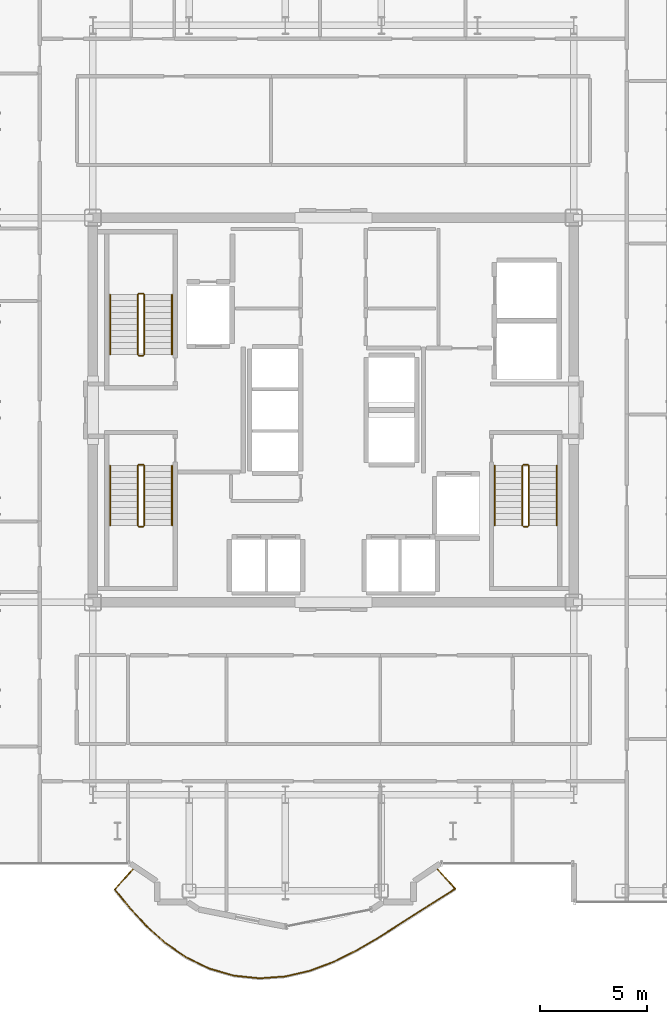
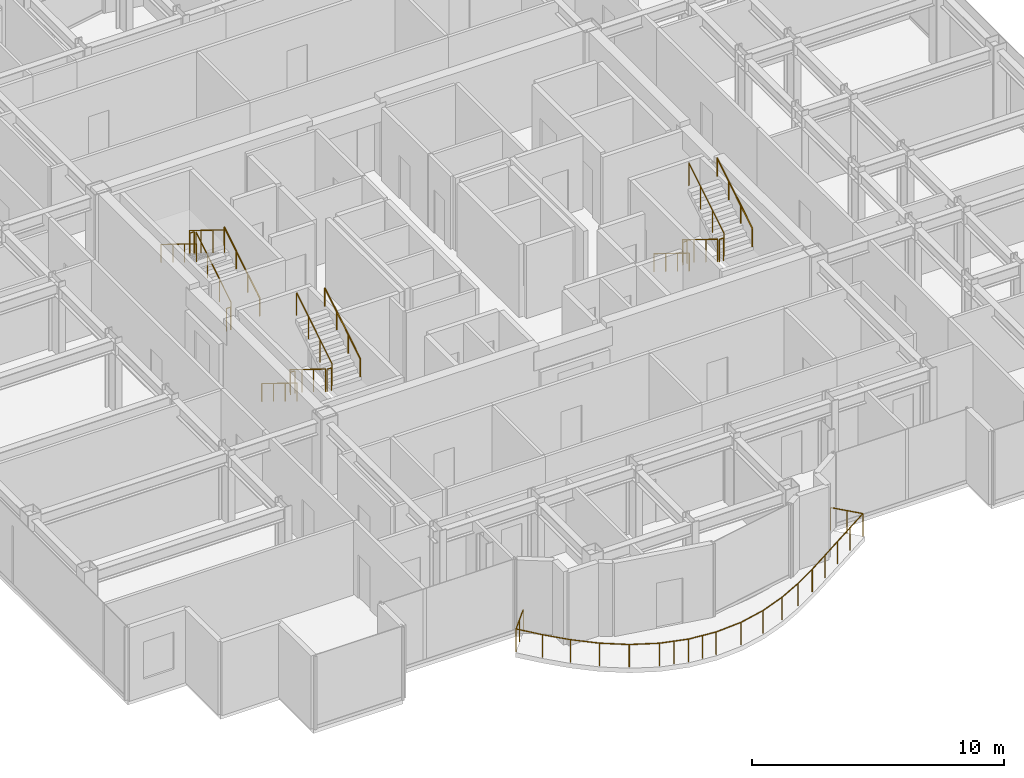
# One storey, part 20 of 21: 19 railings.
"""IFC4 building model written with IfcOpenShell, lengths in metres."""

from ifc_helpers import new_model, si_unit, direction, frame, origin, origin_2d, place, context, subcontext, project, spatial, circle, extrude, material, type_object, element, save


model = new_model("IFC4")

# Units and contexts
model_context = context("Model", 3, precision=1e-05, world=origin(), true_north=direction((0.0, 1.0)))
body_context = subcontext(model_context, "Body", "Model", "MODEL_VIEW")
ifc_project = project(units=[si_unit("LENGTHUNIT", "METRE"), si_unit("AREAUNIT", "SQUARE_METRE"), si_unit("VOLUMEUNIT", "CUBIC_METRE"), si_unit("PLANEANGLEUNIT", "RADIAN"), si_unit("MASSUNIT", "GRAM", prefix="KILO")], contexts=[model_context])

# Site, building, storey
site_placement = place(None, origin())
site = spatial("IfcSite", under=ifc_project, at=site_placement, CompositionType="ELEMENT")
building_placement = place(site_placement, origin())
building = spatial("IfcBuilding", under=site, at=building_placement, Name="Nefas-Gora Pilgrimage Tower", CompositionType="ELEMENT")
storey_placement = place(building_placement, frame((0.0, 0.0, 233.199951171875)))
storey = spatial("IfcBuildingStorey", under=building, at=storey_placement, Name="L58", CompositionType="ELEMENT", Elevation=233.199951171875)

# Railings
ifc_material_1 = material(Name="Laminated safety glass and stainless steel", Category="steel")
railing_type_1 = type_object("IfcRailingType", Name="RLG-BAL-1100", PredefinedType="BALUSTRADE", material=ifc_material_1)
railing_1_placement = place(storey_placement, frame((-9.302490234375, -21.402587890625, 0.0)))
element("IfcRailing", 1, at=railing_1_placement, inside=storey, type_object=railing_type_1, Name="L58 Wave Balcony Balustrade S2", PredefinedType="BALUSTRADE", context=body_context, shape_type="SweptSolid", body=[
    extrude(circle(Radius=0.02392578125, at=origin_2d()), frame((0.0, 0.0, 1.09619140625), z_axis=(-0.669217868333, -0.743066245165, 0.0), x_axis=(0.743066245165, -0.669217868333, 0.0)), (0.0, 0.0, 1.0), 1.38525390625),
    extrude(circle(Radius=0.02392578125, at=origin_2d()), frame((-0.927001953125, -1.029296875, 1.09619140625), z_axis=(0.631629482569, -0.775270402343, 0.0), x_axis=(0.775270402343, 0.631629482569, 0.0)), (0.0, 0.0, 1.0), 1.125244140625),
    extrude(circle(Radius=0.02392578125, at=origin_2d()), frame((-0.21630859375, -1.901611328125, 1.09619140625), z_axis=(0.677893838632, -0.735159808167, 0.0), x_axis=(0.735159808167, 0.677893838632, 0.0)), (0.0, 0.0, 1.0), 1.1552734375),
    extrude(circle(Radius=0.02392578125, at=origin_2d()), frame((0.56689453125, -2.7509765625, 1.09619140625), z_axis=(0.744856770075, -0.667224394094, 0.0), x_axis=(0.667224394094, 0.744856770075, 0.0)), (0.0, 0.0, 1.0), 1.17919921875),
    extrude(circle(Radius=0.02392578125, at=origin_2d()), frame((1.4453125, -3.537841796875, 1.09619140625), z_axis=(0.823486360046, -0.567336068673, 0.0), x_axis=(0.567336068673, 0.823486360046, 0.0)), (0.0, 0.0, 1.0), 1.193359375),
    extrude(circle(Radius=0.02392578125, at=origin_2d()), frame((2.427978515625, -4.21484375, 1.09619140625), z_axis=(0.900372884274, -0.435119143757, 0.0), x_axis=(0.435119143757, 0.900372884274, 0.0)), (0.0, 0.0, 1.0), 1.198974609375),
    extrude(circle(Radius=0.02392578125, at=origin_2d()), frame((3.507568359375, -4.736572265625, 1.09619140625), z_axis=(0.96128569357, -0.275553652377, 0.0), x_axis=(0.275553652377, 0.96128569357, 0.0)), (0.0, 0.0, 1.0), 1.200439453125),
    extrude(circle(Radius=0.02392578125, at=origin_2d()), frame((4.66162109375, -5.0673828125, 1.09619140625), z_axis=(0.994878893823, -0.101074163988, 0.0), x_axis=(0.101074163988, 0.994878893823, 0.0)), (0.0, 0.0, 1.0), 1.200439453125),
    extrude(circle(Radius=0.02392578125, at=origin_2d()), frame((5.85595703125, -5.188720703125, 1.09619140625), z_axis=(0.997416168119, 0.071840013741, 0.0), x_axis=(-0.071840013741, 0.997416168119, 0.0)), (0.0, 0.0, 1.0), 1.19970703125),
    extrude(circle(Radius=0.02392578125, at=origin_2d()), frame((7.052490234375, -5.1025390625, 1.09619140625), z_axis=(0.973990202432, 0.226590126809, 0.0), x_axis=(-0.226590126809, 0.973990202432, 0.0)), (0.0, 0.0, 1.0), 1.19482421875),
    extrude(circle(Radius=0.02392578125, at=origin_2d()), frame((8.21630859375, -4.831787109375, 1.09619140625), z_axis=(0.935793373768, 0.352548949243, 0.0), x_axis=(-0.352548949243, 0.935793373768, 0.0)), (0.0, 0.0, 1.0), 1.18212890625),
    extrude(circle(Radius=0.02392578125, at=origin_2d()), frame((9.322509765625, -4.4150390625, 1.09619140625), z_axis=(0.895603061992, 0.444854083213, 0.0), x_axis=(-0.444854083213, 0.895603061992, 0.0)), (0.0, 0.0, 1.0), 1.15966796875),
    extrude(circle(Radius=0.02392578125, at=origin_2d()), frame((10.361083984375, -3.899169921875, 1.09619140625), z_axis=(0.863943403334, 0.503588915522, 0.0), x_axis=(-0.503588915522, 0.863943403334, 0.0)), (0.0, 0.0, 1.0), 1.130126953125),
    extrude(circle(Radius=0.02392578125, at=origin_2d()), frame((11.33740234375, -3.330078125, 1.09619140625), z_axis=(0.846310667587, 0.532689641282, 0.0), x_axis=(-0.532689641282, 0.846310667587, 0.0)), (0.0, 0.0, 1.0), 1.099853515625),
    extrude(circle(Radius=0.02392578125, at=origin_2d()), frame((12.268310546875, -2.744140625, 1.09619140625), z_axis=(0.841971362418, 0.539522219067, 0.0), x_axis=(-0.539522219067, 0.841971362418, 0.0)), (0.0, 0.0, 1.0), 1.079345703125),
    extrude(circle(Radius=0.02392578125, at=origin_2d()), frame((13.177001953125, -2.161865234375, 1.09619140625), z_axis=(0.844473528243, 0.535597292839, 0.0), x_axis=(-0.535597292839, 0.844473528243, 0.0)), (0.0, 0.0, 1.0), 1.07568359375),
    extrude(circle(Radius=0.02392578125, at=origin_2d()), frame((14.08544921875, -1.585693359375, 1.09619140625), z_axis=(0.843707572313, 0.536803066704, 0.0), x_axis=(-0.536803066704, 0.843707572313, 0.0)), (0.0, 0.0, 1.0), 1.090576171875),
    extrude(circle(Radius=0.02392578125, at=origin_2d()), frame((15.005615234375, -1.000244140625, 1.09619140625), z_axis=(-0.669135077133, 0.74314079995, 0.0), x_axis=(-0.74314079995, -0.669135077133, 0.0)), (0.0, 0.0, 1.0), 1.345947265625),
    extrude(circle(Radius=0.02099609375, at=origin_2d()), origin(), (0.0, 0.0, 1.0), 1.072021484375),
    extrude(circle(Radius=0.02099609375, at=origin_2d()), frame((-0.46337890625, -0.5146484375, 0.0)), (0.0, 0.0, 1.0), 1.072021484375),
    extrude(circle(Radius=0.02099609375, at=origin_2d()), frame((-0.927001953125, -1.029296875, 0.0)), (0.0, 0.0, 1.0), 1.072021484375),
    extrude(circle(Radius=0.02099609375, at=origin_2d()), frame((-0.21630859375, -1.901611328125, 0.0)), (0.0, 0.0, 1.0), 1.072021484375),
    extrude(circle(Radius=0.02099609375, at=origin_2d()), frame((0.56689453125, -2.7509765625, 0.0)), (0.0, 0.0, 1.0), 1.072021484375),
    extrude(circle(Radius=0.02099609375, at=origin_2d()), frame((1.4453125, -3.537841796875, 0.0)), (0.0, 0.0, 1.0), 1.072021484375),
    extrude(circle(Radius=0.02099609375, at=origin_2d()), frame((2.427978515625, -4.21484375, 0.0)), (0.0, 0.0, 1.0), 1.072021484375),
    extrude(circle(Radius=0.02099609375, at=origin_2d()), frame((3.507568359375, -4.736572265625, 0.0)), (0.0, 0.0, 1.0), 1.072021484375),
    extrude(circle(Radius=0.02099609375, at=origin_2d()), frame((4.08447265625, -4.90185546875, 0.0)), (0.0, 0.0, 1.0), 1.072021484375),
    extrude(circle(Radius=0.02099609375, at=origin_2d()), frame((4.66162109375, -5.0673828125, 0.0)), (0.0, 0.0, 1.0), 1.072021484375),
    extrude(circle(Radius=0.02099609375, at=origin_2d()), frame((5.2587890625, -5.1279296875, 0.0)), (0.0, 0.0, 1.0), 1.072021484375),
    extrude(circle(Radius=0.02099609375, at=origin_2d()), frame((5.85595703125, -5.188720703125, 0.0)), (0.0, 0.0, 1.0), 1.072021484375),
    extrude(circle(Radius=0.02099609375, at=origin_2d()), frame((7.052490234375, -5.1025390625, 0.0)), (0.0, 0.0, 1.0), 1.072021484375),
    extrude(circle(Radius=0.02099609375, at=origin_2d()), frame((8.21630859375, -4.831787109375, 0.0)), (0.0, 0.0, 1.0), 1.072021484375),
    extrude(circle(Radius=0.02099609375, at=origin_2d()), frame((9.322509765625, -4.4150390625, 0.0)), (0.0, 0.0, 1.0), 1.072021484375),
    extrude(circle(Radius=0.02099609375, at=origin_2d()), frame((10.361083984375, -3.899169921875, 0.0)), (0.0, 0.0, 1.0), 1.072021484375),
    extrude(circle(Radius=0.02099609375, at=origin_2d()), frame((11.33740234375, -3.330078125, 0.0)), (0.0, 0.0, 1.0), 1.072021484375),
    extrude(circle(Radius=0.02099609375, at=origin_2d()), frame((12.268310546875, -2.744140625, 0.0)), (0.0, 0.0, 1.0), 1.072021484375),
    extrude(circle(Radius=0.02099609375, at=origin_2d()), frame((13.177001953125, -2.161865234375, 0.0)), (0.0, 0.0, 1.0), 1.072021484375),
    extrude(circle(Radius=0.02099609375, at=origin_2d()), frame((14.08544921875, -1.585693359375, 0.0)), (0.0, 0.0, 1.0), 1.072021484375),
    extrude(circle(Radius=0.02099609375, at=origin_2d()), frame((15.005615234375, -1.000244140625, 0.0)), (0.0, 0.0, 1.0), 1.072021484375),
    extrude(circle(Radius=0.02099609375, at=origin_2d()), frame((14.55517578125, -0.5, 0.0)), (0.0, 0.0, 1.0), 1.072021484375),
    extrude(circle(Radius=0.02099609375, at=origin_2d()), frame((14.10498046875, 0.0, 0.0)), (0.0, 0.0, 1.0), 1.072021484375),
])
ifc_material_2 = material(Name="Painted galvanised steel", Category="steel")
railing_type_2 = type_object("IfcRailingType", Name="RLG-STR-GUARD-1100", PredefinedType="GUARDRAIL", material=ifc_material_2)
railing_2_placement = place(storey_placement, frame((-8.85009765625, 2.60009765625, 0.1728515625)))
element("IfcRailing", 2, at=railing_2_placement, inside=storey, type_object=railing_type_2, Name="L58 ST-01 stair guard 1", PredefinedType="GUARDRAIL", context=body_context, shape_type="SweptSolid", body=[
    extrude(circle(Radius=0.02392578125, at=origin_2d()), frame((0.0, 0.0, 1.09619140625), z_axis=(0.0, 0.851069175582, 0.525053576669), x_axis=(-1.0, 0.0, 0.0)), (0.0, 0.0, 1.0), 3.289794921875),
    extrude(circle(Radius=0.02099609375, at=origin_2d()), origin(), (0.0, 0.0, 1.0), 1.072021484375),
    extrude(circle(Radius=0.02099609375, at=origin_2d()), frame((0.0, 0.933349609375, 0.57568359375)), (0.0, 0.0, 1.0), 1.072021484375),
    extrude(circle(Radius=0.02099609375, at=origin_2d()), frame((0.0, 1.866455078125, 1.151611328125)), (0.0, 0.0, 1.0), 1.072021484375),
    extrude(circle(Radius=0.02099609375, at=origin_2d()), frame((0.0, 2.7998046875, 1.727294921875)), (0.0, 0.0, 1.0), 1.072021484375),
])
railing_3_placement = place(storey_placement, frame((-8.89990234375, 5.449951171875, 1.900146484375)))
element("IfcRailing", 3, at=railing_3_placement, inside=storey, type_object=railing_type_2, Name="L58 ST-01 stair guard 2", PredefinedType="GUARDRAIL", context=body_context, shape_type="SweptSolid", body=[
    extrude(circle(Radius=0.02392578125, at=origin_2d()), frame((0.0, 0.0, 1.09619140625), z_axis=(-1.0, 0.0, 0.0), x_axis=(0.0, -1.0, 0.0)), (0.0, 0.0, 1.0), 0.2001953125),
    extrude(circle(Radius=0.02099609375, at=origin_2d()), origin(), (0.0, 0.0, 1.0), 1.072021484375),
    extrude(circle(Radius=0.02099609375, at=origin_2d()), frame((-0.2001953125, 0.0, 0.0)), (0.0, 0.0, 1.0), 1.072021484375),
])
railing_4_placement = place(storey_placement, frame((-9.14990234375, 5.39990234375, 2.07275390625)))
element("IfcRailing", 4, at=railing_4_placement, inside=storey, type_object=railing_type_2, Name="L58 ST-01 stair guard 3", PredefinedType="GUARDRAIL", context=body_context, shape_type="SweptSolid", body=[
    extrude(circle(Radius=0.02392578125, at=origin_2d()), frame((0.0, 0.0, 1.09619140625), z_axis=(0.0, -0.851069175582, 0.525053576669), x_axis=(1.0, 0.0, 0.0)), (0.0, 0.0, 1.0), 3.289794921875),
    extrude(circle(Radius=0.02099609375, at=origin_2d()), origin(), (0.0, 0.0, 1.0), 1.072021484375),
    extrude(circle(Radius=0.02099609375, at=origin_2d()), frame((0.0, -0.933349609375, 0.57568359375)), (0.0, 0.0, 1.0), 1.072021484375),
    extrude(circle(Radius=0.02099609375, at=origin_2d()), frame((0.0, -1.866455078125, 1.151611328125)), (0.0, 0.0, 1.0), 1.072021484375),
    extrude(circle(Radius=0.02099609375, at=origin_2d()), frame((0.0, -2.7998046875, 1.727294921875)), (0.0, 0.0, 1.0), 1.072021484375),
])
railing_5_placement = place(storey_placement, frame((-8.89990234375, 2.550048828125, 0.0)))
element("IfcRailing", 5, at=railing_5_placement, inside=storey, type_object=railing_type_2, Name="L58 ST-01 stair guard 4", PredefinedType="GUARDRAIL", context=body_context, shape_type="SweptSolid", body=[
    extrude(circle(Radius=0.02392578125, at=origin_2d()), frame((0.0, 0.0, 1.09619140625), z_axis=(-1.0, 0.0, 0.0), x_axis=(0.0, -1.0, 0.0)), (0.0, 0.0, 1.0), 0.2001953125),
    extrude(circle(Radius=0.02099609375, at=origin_2d()), origin(), (0.0, 0.0, 1.0), 1.072021484375),
    extrude(circle(Radius=0.02099609375, at=origin_2d()), frame((-0.2001953125, 0.0, 0.0)), (0.0, 0.0, 1.0), 1.072021484375),
])
railing_6_placement = place(storey_placement, frame((8.85009765625, -2.60009765625, 0.1728515625)))
element("IfcRailing", 6, at=railing_6_placement, inside=storey, type_object=railing_type_2, Name="L58 ST-02 stair guard 1", PredefinedType="GUARDRAIL", context=body_context, shape_type="SweptSolid", body=[
    extrude(circle(Radius=0.02392578125, at=origin_2d()), frame((0.0, 0.0, 1.09619140625), z_axis=(0.0, -0.851069175582, 0.525053576669), x_axis=(1.0, 0.0, 0.0)), (0.0, 0.0, 1.0), 3.289794921875),
    extrude(circle(Radius=0.02099609375, at=origin_2d()), origin(), (0.0, 0.0, 1.0), 1.072021484375),
    extrude(circle(Radius=0.02099609375, at=origin_2d()), frame((0.0, -0.933349609375, 0.57568359375)), (0.0, 0.0, 1.0), 1.072021484375),
    extrude(circle(Radius=0.02099609375, at=origin_2d()), frame((0.0, -1.866455078125, 1.151611328125)), (0.0, 0.0, 1.0), 1.072021484375),
    extrude(circle(Radius=0.02099609375, at=origin_2d()), frame((0.0, -2.7998046875, 1.727294921875)), (0.0, 0.0, 1.0), 1.072021484375),
])
railing_7_placement = place(storey_placement, frame((8.89990234375, -5.449951171875, 1.900146484375)))
element("IfcRailing", 7, at=railing_7_placement, inside=storey, type_object=railing_type_2, Name="L58 ST-02 stair guard 2", PredefinedType="GUARDRAIL", context=body_context, shape_type="SweptSolid", body=[
    extrude(circle(Radius=0.02392578125, at=origin_2d()), frame((0.0, 0.0, 1.09619140625), z_axis=(1.0, 0.0, 0.0), x_axis=(0.0, 1.0, 0.0)), (0.0, 0.0, 1.0), 0.2001953125),
    extrude(circle(Radius=0.02099609375, at=origin_2d()), origin(), (0.0, 0.0, 1.0), 1.072021484375),
    extrude(circle(Radius=0.02099609375, at=origin_2d()), frame((0.2001953125, 0.0, 0.0)), (0.0, 0.0, 1.0), 1.072021484375),
])
railing_8_placement = place(storey_placement, frame((9.14990234375, -5.39990234375, 2.07275390625)))
element("IfcRailing", 8, at=railing_8_placement, inside=storey, type_object=railing_type_2, Name="L58 ST-02 stair guard 3", PredefinedType="GUARDRAIL", context=body_context, shape_type="SweptSolid", body=[
    extrude(circle(Radius=0.02392578125, at=origin_2d()), frame((0.0, 0.0, 1.09619140625), z_axis=(0.0, 0.851069175582, 0.525053576669), x_axis=(-1.0, 0.0, 0.0)), (0.0, 0.0, 1.0), 3.289794921875),
    extrude(circle(Radius=0.02099609375, at=origin_2d()), origin(), (0.0, 0.0, 1.0), 1.072021484375),
    extrude(circle(Radius=0.02099609375, at=origin_2d()), frame((0.0, 0.933349609375, 0.57568359375)), (0.0, 0.0, 1.0), 1.072021484375),
    extrude(circle(Radius=0.02099609375, at=origin_2d()), frame((0.0, 1.866455078125, 1.151611328125)), (0.0, 0.0, 1.0), 1.072021484375),
    extrude(circle(Radius=0.02099609375, at=origin_2d()), frame((0.0, 2.7998046875, 1.727294921875)), (0.0, 0.0, 1.0), 1.072021484375),
])
railing_9_placement = place(storey_placement, frame((8.89990234375, -2.550048828125, 0.0)))
element("IfcRailing", 9, at=railing_9_placement, inside=storey, type_object=railing_type_2, Name="L58 ST-02 stair guard 4", PredefinedType="GUARDRAIL", context=body_context, shape_type="SweptSolid", body=[
    extrude(circle(Radius=0.02392578125, at=origin_2d()), frame((0.0, 0.0, 1.09619140625), z_axis=(1.0, 0.0, 0.0), x_axis=(0.0, 1.0, 0.0)), (0.0, 0.0, 1.0), 0.2001953125),
    extrude(circle(Radius=0.02099609375, at=origin_2d()), origin(), (0.0, 0.0, 1.0), 1.072021484375),
    extrude(circle(Radius=0.02099609375, at=origin_2d()), frame((0.2001953125, 0.0, 0.0)), (0.0, 0.0, 1.0), 1.072021484375),
])
railing_10_placement = place(storey_placement, frame((-9.14990234375, -2.60009765625, 0.1728515625)))
element("IfcRailing", 10, at=railing_10_placement, inside=storey, type_object=railing_type_2, Name="L58 ST-03 stair guard 1", PredefinedType="GUARDRAIL", context=body_context, shape_type="SweptSolid", body=[
    extrude(circle(Radius=0.02392578125, at=origin_2d()), frame((0.0, 0.0, 1.09619140625), z_axis=(0.0, -0.851069175582, 0.525053576669), x_axis=(1.0, 0.0, 0.0)), (0.0, 0.0, 1.0), 3.289794921875),
    extrude(circle(Radius=0.02099609375, at=origin_2d()), origin(), (0.0, 0.0, 1.0), 1.072021484375),
    extrude(circle(Radius=0.02099609375, at=origin_2d()), frame((0.0, -0.933349609375, 0.57568359375)), (0.0, 0.0, 1.0), 1.072021484375),
    extrude(circle(Radius=0.02099609375, at=origin_2d()), frame((0.0, -1.866455078125, 1.151611328125)), (0.0, 0.0, 1.0), 1.072021484375),
    extrude(circle(Radius=0.02099609375, at=origin_2d()), frame((0.0, -2.7998046875, 1.727294921875)), (0.0, 0.0, 1.0), 1.072021484375),
])
railing_11_placement = place(storey_placement, frame((-9.10009765625, -5.449951171875, 1.900146484375)))
element("IfcRailing", 11, at=railing_11_placement, inside=storey, type_object=railing_type_2, Name="L58 ST-03 stair guard 2", PredefinedType="GUARDRAIL", context=body_context, shape_type="SweptSolid", body=[
    extrude(circle(Radius=0.02392578125, at=origin_2d()), frame((0.0, 0.0, 1.09619140625), z_axis=(1.0, 0.0, 0.0), x_axis=(0.0, 1.0, 0.0)), (0.0, 0.0, 1.0), 0.2001953125),
    extrude(circle(Radius=0.02099609375, at=origin_2d()), origin(), (0.0, 0.0, 1.0), 1.072021484375),
    extrude(circle(Radius=0.02099609375, at=origin_2d()), frame((0.2001953125, 0.0, 0.0)), (0.0, 0.0, 1.0), 1.072021484375),
])
railing_12_placement = place(storey_placement, frame((-8.85009765625, -5.39990234375, 2.07275390625)))
element("IfcRailing", 12, at=railing_12_placement, inside=storey, type_object=railing_type_2, Name="L58 ST-03 stair guard 3", PredefinedType="GUARDRAIL", context=body_context, shape_type="SweptSolid", body=[
    extrude(circle(Radius=0.02392578125, at=origin_2d()), frame((0.0, 0.0, 1.09619140625), z_axis=(0.0, 0.851069175582, 0.525053576669), x_axis=(-1.0, 0.0, 0.0)), (0.0, 0.0, 1.0), 3.289794921875),
    extrude(circle(Radius=0.02099609375, at=origin_2d()), origin(), (0.0, 0.0, 1.0), 1.072021484375),
    extrude(circle(Radius=0.02099609375, at=origin_2d()), frame((0.0, 0.933349609375, 0.57568359375)), (0.0, 0.0, 1.0), 1.072021484375),
    extrude(circle(Radius=0.02099609375, at=origin_2d()), frame((0.0, 1.866455078125, 1.151611328125)), (0.0, 0.0, 1.0), 1.072021484375),
    extrude(circle(Radius=0.02099609375, at=origin_2d()), frame((0.0, 2.7998046875, 1.727294921875)), (0.0, 0.0, 1.0), 1.072021484375),
])
railing_13_placement = place(storey_placement, frame((-9.10009765625, -2.550048828125, 0.0)))
element("IfcRailing", 13, at=railing_13_placement, inside=storey, type_object=railing_type_2, Name="L58 ST-03 stair guard 4", PredefinedType="GUARDRAIL", context=body_context, shape_type="SweptSolid", body=[
    extrude(circle(Radius=0.02392578125, at=origin_2d()), frame((0.0, 0.0, 1.09619140625), z_axis=(1.0, 0.0, 0.0), x_axis=(0.0, 1.0, 0.0)), (0.0, 0.0, 1.0), 0.2001953125),
    extrude(circle(Radius=0.02099609375, at=origin_2d()), origin(), (0.0, 0.0, 1.0), 1.072021484375),
    extrude(circle(Radius=0.02099609375, at=origin_2d()), frame((0.2001953125, 0.0, 0.0)), (0.0, 0.0, 1.0), 1.072021484375),
])
ifc_material_3 = material(Name="Brushed stainless steel", Category="steel")
railing_type_3 = type_object("IfcRailingType", Name="RLG-STR-HAND-900", PredefinedType="HANDRAIL", material=ifc_material_3)
railing_14_placement = place(storey_placement, frame((-7.550048828125, 2.60009765625, 0.1728515625)))
element("IfcRailing", 14, at=railing_14_placement, inside=storey, type_object=railing_type_3, Name="L58 ST-01 stair handrail 1", PredefinedType="HANDRAIL", context=body_context, shape_type="SweptSolid", body=[
    extrude(circle(Radius=0.02392578125, at=origin_2d()), frame((0.0, 0.0, 0.8759765625), z_axis=(0.0, 0.851069175582, 0.525053576669), x_axis=(-1.0, 0.0, 0.0)), (0.0, 0.0, 1.0), 3.289794921875),
    extrude(circle(Radius=0.02099609375, at=origin_2d()), origin(), (0.0, 0.0, 1.0), 0.851806640625),
    extrude(circle(Radius=0.02099609375, at=origin_2d()), frame((0.0, 0.933349609375, 0.57568359375)), (0.0, 0.0, 1.0), 0.851806640625),
    extrude(circle(Radius=0.02099609375, at=origin_2d()), frame((0.0, 1.866455078125, 1.151611328125)), (0.0, 0.0, 1.0), 0.851806640625),
    extrude(circle(Radius=0.02099609375, at=origin_2d()), frame((0.0, 2.7998046875, 1.727294921875)), (0.0, 0.0, 1.0), 0.851806640625),
])
for number, where, name in (
    (15, (-10.449951171875, 5.39990234375, 2.07275390625), "L58 ST-01 stair handrail 2"),
    (16, (7.550048828125, -2.60009765625, 0.1728515625), "L58 ST-02 stair handrail 1"),
):
    element("IfcRailing", number, at=place(storey_placement, frame(where)), inside=storey, type_object=railing_type_3, Name=name, PredefinedType="HANDRAIL", context=body_context, shape_type="SweptSolid", body=[
        extrude(circle(Radius=0.02392578125, at=origin_2d()), frame((0.0, 0.0, 0.8759765625), z_axis=(0.0, -0.851069175582, 0.525053576669), x_axis=(1.0, 0.0, 0.0)), (0.0, 0.0, 1.0), 3.289794921875),
        extrude(circle(Radius=0.02099609375, at=origin_2d()), origin(), (0.0, 0.0, 1.0), 0.851806640625),
        extrude(circle(Radius=0.02099609375, at=origin_2d()), frame((0.0, -0.933349609375, 0.57568359375)), (0.0, 0.0, 1.0), 0.851806640625),
        extrude(circle(Radius=0.02099609375, at=origin_2d()), frame((0.0, -1.866455078125, 1.151611328125)), (0.0, 0.0, 1.0), 0.851806640625),
        extrude(circle(Radius=0.02099609375, at=origin_2d()), frame((0.0, -2.7998046875, 1.727294921875)), (0.0, 0.0, 1.0), 0.851806640625),
    ])
railing_15_placement = place(storey_placement, frame((10.449951171875, -5.39990234375, 2.07275390625)))
element("IfcRailing", 17, at=railing_15_placement, inside=storey, type_object=railing_type_3, Name="L58 ST-02 stair handrail 2", PredefinedType="HANDRAIL", context=body_context, shape_type="SweptSolid", body=[
    extrude(circle(Radius=0.02392578125, at=origin_2d()), frame((0.0, 0.0, 0.8759765625), z_axis=(0.0, 0.851069175582, 0.525053576669), x_axis=(-1.0, 0.0, 0.0)), (0.0, 0.0, 1.0), 3.289794921875),
    extrude(circle(Radius=0.02099609375, at=origin_2d()), origin(), (0.0, 0.0, 1.0), 0.851806640625),
    extrude(circle(Radius=0.02099609375, at=origin_2d()), frame((0.0, 0.933349609375, 0.57568359375)), (0.0, 0.0, 1.0), 0.851806640625),
    extrude(circle(Radius=0.02099609375, at=origin_2d()), frame((0.0, 1.866455078125, 1.151611328125)), (0.0, 0.0, 1.0), 0.851806640625),
    extrude(circle(Radius=0.02099609375, at=origin_2d()), frame((0.0, 2.7998046875, 1.727294921875)), (0.0, 0.0, 1.0), 0.851806640625),
])
railing_16_placement = place(storey_placement, frame((-10.449951171875, -2.60009765625, 0.1728515625)))
element("IfcRailing", 18, at=railing_16_placement, inside=storey, type_object=railing_type_3, Name="L58 ST-03 stair handrail 1", PredefinedType="HANDRAIL", context=body_context, shape_type="SweptSolid", body=[
    extrude(circle(Radius=0.02392578125, at=origin_2d()), frame((0.0, 0.0, 0.8759765625), z_axis=(0.0, -0.851069175582, 0.525053576669), x_axis=(1.0, 0.0, 0.0)), (0.0, 0.0, 1.0), 3.289794921875),
    extrude(circle(Radius=0.02099609375, at=origin_2d()), origin(), (0.0, 0.0, 1.0), 0.851806640625),
    extrude(circle(Radius=0.02099609375, at=origin_2d()), frame((0.0, -0.933349609375, 0.57568359375)), (0.0, 0.0, 1.0), 0.851806640625),
    extrude(circle(Radius=0.02099609375, at=origin_2d()), frame((0.0, -1.866455078125, 1.151611328125)), (0.0, 0.0, 1.0), 0.851806640625),
    extrude(circle(Radius=0.02099609375, at=origin_2d()), frame((0.0, -2.7998046875, 1.727294921875)), (0.0, 0.0, 1.0), 0.851806640625),
])
railing_17_placement = place(storey_placement, frame((-7.550048828125, -5.39990234375, 2.07275390625)))
element("IfcRailing", 19, at=railing_17_placement, inside=storey, type_object=railing_type_3, Name="L58 ST-03 stair handrail 2", PredefinedType="HANDRAIL", context=body_context, shape_type="SweptSolid", body=[
    extrude(circle(Radius=0.02392578125, at=origin_2d()), frame((0.0, 0.0, 0.8759765625), z_axis=(0.0, 0.851069175582, 0.525053576669), x_axis=(-1.0, 0.0, 0.0)), (0.0, 0.0, 1.0), 3.289794921875),
    extrude(circle(Radius=0.02099609375, at=origin_2d()), origin(), (0.0, 0.0, 1.0), 0.851806640625),
    extrude(circle(Radius=0.02099609375, at=origin_2d()), frame((0.0, 0.933349609375, 0.57568359375)), (0.0, 0.0, 1.0), 0.851806640625),
    extrude(circle(Radius=0.02099609375, at=origin_2d()), frame((0.0, 1.866455078125, 1.151611328125)), (0.0, 0.0, 1.0), 0.851806640625),
    extrude(circle(Radius=0.02099609375, at=origin_2d()), frame((0.0, 2.7998046875, 1.727294921875)), (0.0, 0.0, 1.0), 0.851806640625),
])

save(model, "model.ifc")
